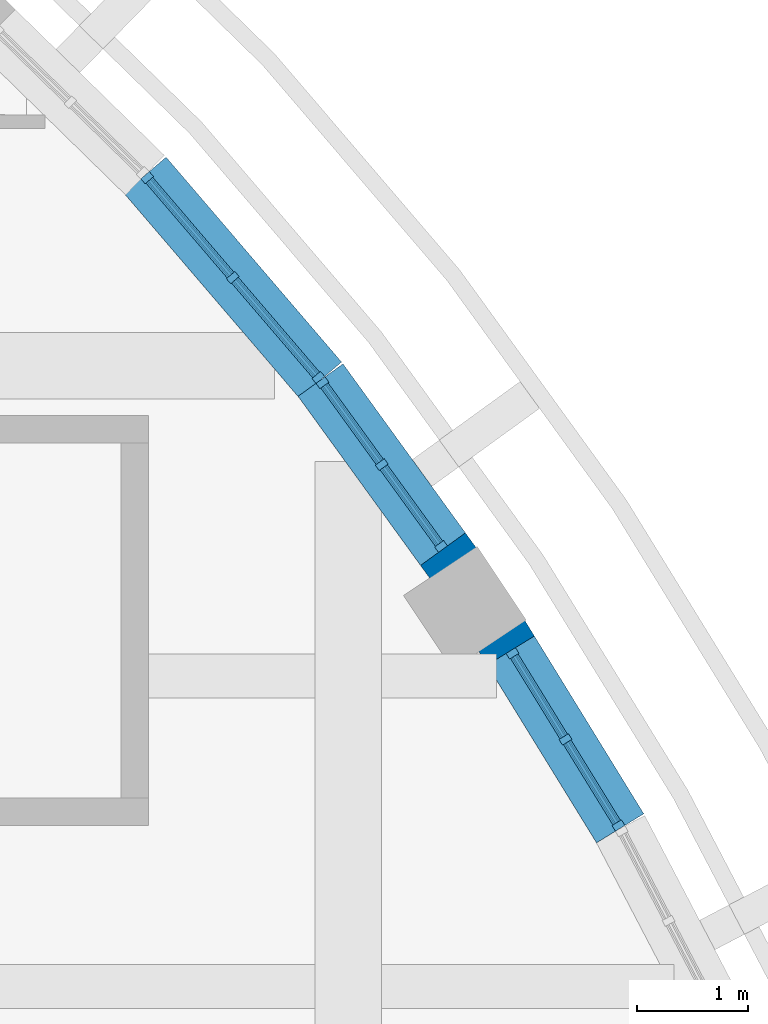
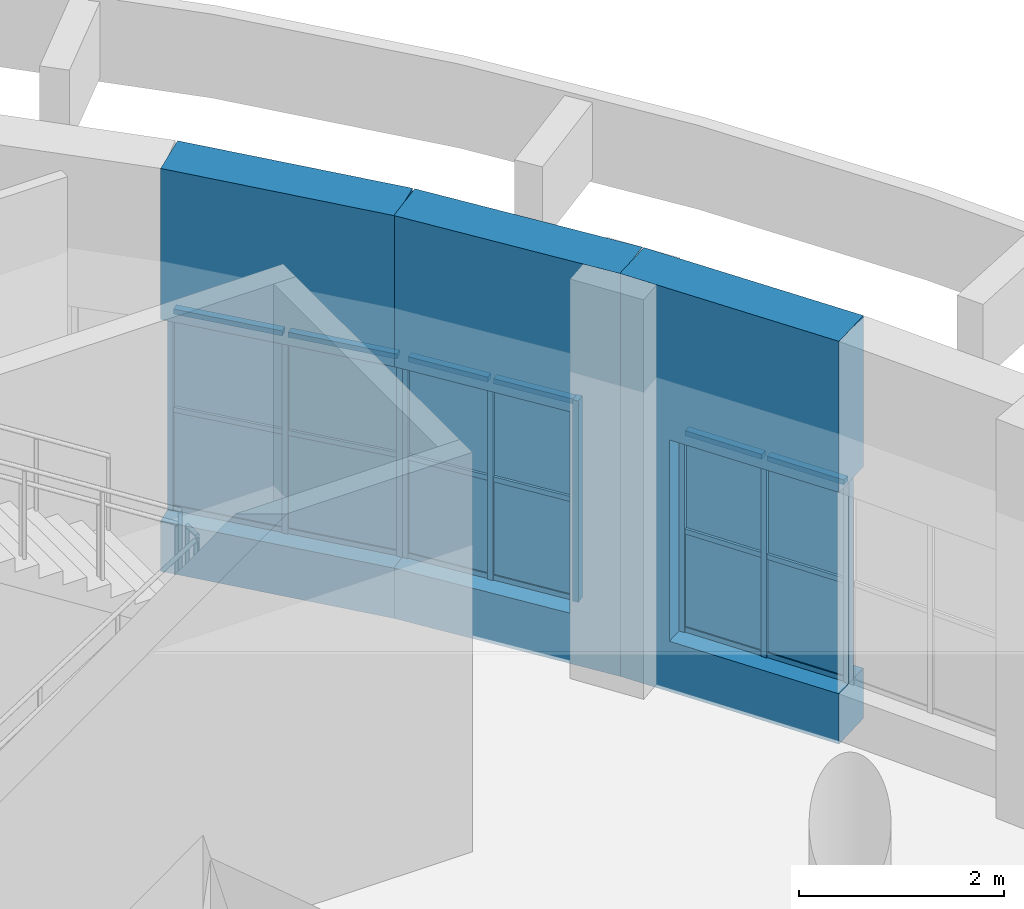
# One storey, part 34 of 79: 27 members, 12 plates, 3 walls, 3 openings, 3 elements without a shape of their own.
"""IFC4 building model written with IfcOpenShell, lengths in metres."""

from ifc_helpers import new_model, si_unit, direction, frame, frame_2d, origin, origin_2d, place, context, subcontext, project, spatial, rectangle, extrude, material, layer, layer_set, material_profile, profile_set, type_object, element, fill, aggregate, save


model = new_model("IFC4")

# Units and contexts
model_context = context("Model", 3, precision=1e-05, world=origin(), true_north=direction((0.0, 1.0)))
body_context = subcontext(model_context, "Body", "Model", "MODEL_VIEW")
ifc_project = project(units=[si_unit("LENGTHUNIT", "METRE"), si_unit("AREAUNIT", "SQUARE_METRE"), si_unit("VOLUMEUNIT", "CUBIC_METRE"), si_unit("PLANEANGLEUNIT", "RADIAN"), si_unit("MASSUNIT", "GRAM", prefix="KILO")], contexts=[model_context])

# Site, building, storey
site_placement = place(None, origin())
site = spatial("IfcSite", under=ifc_project, at=site_placement, CompositionType="ELEMENT")
building_placement = place(site_placement, origin())
building = spatial("IfcBuilding", under=site, at=building_placement, Name="Larchfold Concert Hall", CompositionType="ELEMENT")
storey_placement = place(building_placement, frame((0.0, 0.0, 14.39990234375)))
storey = spatial("IfcBuildingStorey", under=building, at=storey_placement, Name="L03", CompositionType="ELEMENT", Elevation=14.39990234375)

# Curtain wall, members
ifc_material_1 = material(Name="Anodised graphite aluminium curtain wall", Category="aluminium")
ifc_layer_1 = layer(ifc_material_1, 0.10009765625)
ifc_layer_set_1 = layer_set([ifc_layer_1], Name="Anodised graphite aluminium curtain wall")
curtain_wall_type = type_object("IfcCurtainWallType", Name="Curtain wall GB", PredefinedType="NOTDEFINED", material=ifc_layer_set_1)
curtain_wall_1_placement = place(storey_placement, origin())
curtain_wall_1 = element("IfcCurtainWall", 1, at=curtain_wall_1_placement, inside=storey, type_object=curtain_wall_type, Name="Curtain wall CW0010", PredefinedType="NOTDEFINED")
ifc_material_2 = material(Name="Anodised graphite aluminium mullion", Category="aluminium")
ifc_material_profile_1 = material_profile(ifc_material_2, rectangle(XDim=0.10009765625, YDim=0.06005859375, at=origin_2d()))
ifc_profile_set_1 = profile_set([ifc_material_profile_1], Name="Anodised graphite aluminium mullion")
member_type_1 = type_object("IfcMemberType", Name="Aluminium mullion 60x100", PredefinedType="MULLION", material=ifc_profile_set_1)
member_1_placement = place(storey_placement, frame((61.837890625, 105.65185546875, 0.60009765625), z_axis=(0.0, 0.0, 1.0), x_axis=(-0.851685025171, -0.524054021929, 0.0)))
member_1 = element("IfcMember", 2, at=member_1_placement, type_object=member_type_1, Name="CW0010 mullion 1", PredefinedType="MULLION", context=body_context, shape_type="SweptSolid", body=[
    extrude(rectangle(XDim=0.10009765625, YDim=0.06005859375, at=origin_2d()), origin(), (0.0, 0.0, 1.0), 2.39990234375),
])
member_2_placement = place(storey_placement, frame((61.360107421875, 106.42822265625, 0.60009765625), z_axis=(0.0, 0.0, 1.0), x_axis=(-0.851685025171, -0.524054021929, 0.0)))
member_2 = element("IfcMember", 3, at=member_2_placement, type_object=member_type_1, Name="CW0010 mullion 2", PredefinedType="MULLION", context=body_context, shape_type="SweptSolid", body=[
    extrude(rectangle(XDim=0.10009765625, YDim=0.06005859375, at=origin_2d()), origin(), (0.0, 0.0, 1.0), 2.39990234375),
])
member_3_placement = place(storey_placement, frame((60.88232421875, 107.204345703125, 0.60009765625), z_axis=(0.0, 0.0, 1.0), x_axis=(-0.851685025171, -0.524054021929, 0.0)))
member_3 = element("IfcMember", 4, at=member_3_placement, type_object=member_type_1, Name="CW0010 mullion 3", PredefinedType="MULLION", context=body_context, shape_type="SweptSolid", body=[
    extrude(rectangle(XDim=0.10009765625, YDim=0.06005859375, at=origin_2d()), origin(), (0.0, 0.0, 1.0), 2.39990234375),
])

curtain_wall_2_placement = place(storey_placement, origin())
curtain_wall_2 = element("IfcCurtainWall", 5, at=curtain_wall_2_placement, inside=storey, type_object=curtain_wall_type, Name="Curtain wall CW0011", PredefinedType="NOTDEFINED")
member_4_placement = place(storey_placement, frame((60.237548828125, 108.1689453125, 0.60009765625), z_axis=(0.0, 0.0, 1.0), x_axis=(-0.809861417461, -0.586621244508, 0.0)))
member_4 = element("IfcMember", 6, at=member_4_placement, type_object=member_type_1, Name="CW0011 mullion 1", PredefinedType="MULLION", context=body_context, shape_type="SweptSolid", body=[
    extrude(rectangle(XDim=0.10009765625, YDim=0.06005859375, at=origin_2d()), origin(), (0.0, 0.0, 1.0), 2.39990234375),
])
member_5_placement = place(storey_placement, frame((59.70263671875, 108.906982421875, 0.60009765625), z_axis=(0.0, 0.0, 1.0), x_axis=(-0.809861417461, -0.586621244508, 0.0)))
member_5 = element("IfcMember", 7, at=member_5_placement, type_object=member_type_1, Name="CW0011 mullion 2", PredefinedType="MULLION", context=body_context, shape_type="SweptSolid", body=[
    extrude(rectangle(XDim=0.10009765625, YDim=0.06005859375, at=origin_2d()), origin(), (0.0, 0.0, 1.0), 2.39990234375),
])
member_6_placement = place(storey_placement, frame((59.16796875, 109.645263671875, 0.60009765625), z_axis=(0.0, 0.0, 1.0), x_axis=(-0.809861417461, -0.586621244508, 0.0)))
member_6 = element("IfcMember", 8, at=member_6_placement, type_object=member_type_1, Name="CW0011 mullion 3", PredefinedType="MULLION", context=body_context, shape_type="SweptSolid", body=[
    extrude(rectangle(XDim=0.10009765625, YDim=0.06005859375, at=origin_2d()), origin(), (0.0, 0.0, 1.0), 2.39990234375),
])

curtain_wall_3_placement = place(storey_placement, origin())
curtain_wall_3 = element("IfcCurtainWall", 9, at=curtain_wall_3_placement, inside=storey, type_object=curtain_wall_type, Name="Curtain wall CW0012", PredefinedType="NOTDEFINED")
member_7_placement = place(storey_placement, frame((59.130859375, 109.6923828125, 0.60009765625), z_axis=(0.0, 0.0, 1.0), x_axis=(-0.759483179676, -0.650526940095, 0.0)))
member_7 = element("IfcMember", 10, at=member_7_placement, type_object=member_type_1, Name="CW0012 mullion 1", PredefinedType="MULLION", context=body_context, shape_type="SweptSolid", body=[
    extrude(rectangle(XDim=0.10009765625, YDim=0.06005859375, at=origin_2d()), origin(), (0.0, 0.0, 1.0), 2.39990234375),
])
member_8_placement = place(storey_placement, frame((58.35888671875, 110.59375, 0.60009765625), z_axis=(0.0, 0.0, 1.0), x_axis=(-0.759483179676, -0.650526940095, 0.0)))
member_8 = element("IfcMember", 11, at=member_8_placement, type_object=member_type_1, Name="CW0012 mullion 2", PredefinedType="MULLION", context=body_context, shape_type="SweptSolid", body=[
    extrude(rectangle(XDim=0.10009765625, YDim=0.06005859375, at=origin_2d()), origin(), (0.0, 0.0, 1.0), 2.39990234375),
])
member_9_placement = place(storey_placement, frame((57.5869140625, 111.4951171875, 0.60009765625), z_axis=(0.0, 0.0, 1.0), x_axis=(-0.759483179676, -0.650526940095, 0.0)))
member_9 = element("IfcMember", 12, at=member_9_placement, type_object=member_type_1, Name="CW0012 mullion 3", PredefinedType="MULLION", context=body_context, shape_type="SweptSolid", body=[
    extrude(rectangle(XDim=0.10009765625, YDim=0.06005859375, at=origin_2d()), origin(), (0.0, 0.0, 1.0), 2.39990234375),
])

# Member
ifc_material_3 = material(Name="Anodised graphite aluminium transom", Category="aluminium")
ifc_material_profile_2 = material_profile(ifc_material_3, rectangle(XDim=0.080078125, YDim=0.06005859375, at=origin_2d()))
ifc_profile_set_2 = profile_set([ifc_material_profile_2], Name="Anodised graphite aluminium transom")
member_type_2 = type_object("IfcMemberType", Name="Aluminium transom 60x80", PredefinedType="USERDEFINED", material=ifc_profile_set_2)
member_10_placement = place(storey_placement, frame((61.822021484375, 105.67724609375, 0.630126953125), z_axis=(-0.524033446248, 0.85169768534, 0.0), x_axis=(-0.85169768534, -0.524033446248, 0.0)))
member_10 = element("IfcMember", 13, at=member_10_placement, type_object=member_type_2, Name="CW0010 transom 1.1", ObjectType="TRANSOM", PredefinedType="USERDEFINED", context=body_context, shape_type="SweptSolid", body=[
    extrude(rectangle(XDim=0.080078125, YDim=0.06005859375, at=origin_2d()), origin(), (0.0, 0.0, 1.0), 0.8515625),
])

member_11_placement = place(storey_placement, frame((61.822021484375, 105.67724609375, 1.800048828125), z_axis=(-0.524033446248, 0.85169768534, 0.0), x_axis=(-0.85169768534, -0.524033446248, 0.0)))
member_11 = element("IfcMember", 14, at=member_11_placement, type_object=member_type_2, Name="CW0010 transom 1.2", ObjectType="TRANSOM", PredefinedType="USERDEFINED", context=body_context, shape_type="SweptSolid", body=[
    extrude(rectangle(XDim=0.080078125, YDim=0.06005859375, at=origin_2d()), origin(), (0.0, 0.0, 1.0), 0.8515625),
])

member_12_placement = place(storey_placement, frame((61.822021484375, 105.67724609375, 2.969970703125), z_axis=(-0.524033446248, 0.85169768534, 0.0), x_axis=(-0.85169768534, -0.524033446248, 0.0)))
member_12 = element("IfcMember", 15, at=member_12_placement, type_object=member_type_2, Name="CW0010 transom 1.3", ObjectType="TRANSOM", PredefinedType="USERDEFINED", context=body_context, shape_type="SweptSolid", body=[
    extrude(rectangle(XDim=0.080078125, YDim=0.06005859375, at=origin_2d()), origin(), (0.0, 0.0, 1.0), 0.8515625),
])

member_13_placement = place(storey_placement, frame((61.344482421875, 106.45361328125, 0.630126953125), z_axis=(-0.524033446248, 0.85169768534, 0.0), x_axis=(-0.85169768534, -0.524033446248, 0.0)))
member_13 = element("IfcMember", 16, at=member_13_placement, type_object=member_type_2, Name="CW0010 transom 2.1", ObjectType="TRANSOM", PredefinedType="USERDEFINED", context=body_context, shape_type="SweptSolid", body=[
    extrude(rectangle(XDim=0.080078125, YDim=0.06005859375, at=origin_2d()), origin(), (0.0, 0.0, 1.0), 0.8515625),
])

member_14_placement = place(storey_placement, frame((61.344482421875, 106.45361328125, 1.800048828125), z_axis=(-0.524033446248, 0.85169768534, 0.0), x_axis=(-0.85169768534, -0.524033446248, 0.0)))
member_14 = element("IfcMember", 17, at=member_14_placement, type_object=member_type_2, Name="CW0010 transom 2.2", ObjectType="TRANSOM", PredefinedType="USERDEFINED", context=body_context, shape_type="SweptSolid", body=[
    extrude(rectangle(XDim=0.080078125, YDim=0.06005859375, at=origin_2d()), origin(), (0.0, 0.0, 1.0), 0.8515625),
])

member_15_placement = place(storey_placement, frame((61.344482421875, 106.45361328125, 2.969970703125), z_axis=(-0.524033446248, 0.85169768534, 0.0), x_axis=(-0.85169768534, -0.524033446248, 0.0)))
member_15 = element("IfcMember", 18, at=member_15_placement, type_object=member_type_2, Name="CW0010 transom 2.3", ObjectType="TRANSOM", PredefinedType="USERDEFINED", context=body_context, shape_type="SweptSolid", body=[
    extrude(rectangle(XDim=0.080078125, YDim=0.06005859375, at=origin_2d()), origin(), (0.0, 0.0, 1.0), 0.8515625),
])

member_16_placement = place(storey_placement, frame((60.219970703125, 108.193115234375, 0.630126953125), z_axis=(-0.586568177357, 0.809899853878, 0.0), x_axis=(-0.809899853878, -0.586568177357, 0.0)))
member_16 = element("IfcMember", 19, at=member_16_placement, type_object=member_type_2, Name="CW0011 transom 1.1", ObjectType="TRANSOM", PredefinedType="USERDEFINED", context=body_context, shape_type="SweptSolid", body=[
    extrude(rectangle(XDim=0.080078125, YDim=0.06005859375, at=origin_2d()), origin(), (0.0, 0.0, 1.0), 0.8515625),
])

member_17_placement = place(storey_placement, frame((60.219970703125, 108.193115234375, 1.800048828125), z_axis=(-0.586568177357, 0.809899853878, 0.0), x_axis=(-0.809899853878, -0.586568177357, 0.0)))
member_17 = element("IfcMember", 20, at=member_17_placement, type_object=member_type_2, Name="CW0011 transom 1.2", ObjectType="TRANSOM", PredefinedType="USERDEFINED", context=body_context, shape_type="SweptSolid", body=[
    extrude(rectangle(XDim=0.080078125, YDim=0.06005859375, at=origin_2d()), origin(), (0.0, 0.0, 1.0), 0.8515625),
])

member_18_placement = place(storey_placement, frame((60.219970703125, 108.193115234375, 2.969970703125), z_axis=(-0.586568177357, 0.809899853878, 0.0), x_axis=(-0.809899853878, -0.586568177357, 0.0)))
member_18 = element("IfcMember", 21, at=member_18_placement, type_object=member_type_2, Name="CW0011 transom 1.3", ObjectType="TRANSOM", PredefinedType="USERDEFINED", context=body_context, shape_type="SweptSolid", body=[
    extrude(rectangle(XDim=0.080078125, YDim=0.06005859375, at=origin_2d()), origin(), (0.0, 0.0, 1.0), 0.8515625),
])

member_19_placement = place(storey_placement, frame((59.68505859375, 108.931396484375, 0.630126953125), z_axis=(-0.586568177357, 0.809899853878, 0.0), x_axis=(-0.809899853878, -0.586568177357, 0.0)))
member_19 = element("IfcMember", 22, at=member_19_placement, type_object=member_type_2, Name="CW0011 transom 2.1", ObjectType="TRANSOM", PredefinedType="USERDEFINED", context=body_context, shape_type="SweptSolid", body=[
    extrude(rectangle(XDim=0.080078125, YDim=0.06005859375, at=origin_2d()), origin(), (0.0, 0.0, 1.0), 0.8515625),
])

member_20_placement = place(storey_placement, frame((59.68505859375, 108.931396484375, 1.800048828125), z_axis=(-0.586568177357, 0.809899853878, 0.0), x_axis=(-0.809899853878, -0.586568177357, 0.0)))
member_20 = element("IfcMember", 23, at=member_20_placement, type_object=member_type_2, Name="CW0011 transom 2.2", ObjectType="TRANSOM", PredefinedType="USERDEFINED", context=body_context, shape_type="SweptSolid", body=[
    extrude(rectangle(XDim=0.080078125, YDim=0.06005859375, at=origin_2d()), origin(), (0.0, 0.0, 1.0), 0.8515625),
])

member_21_placement = place(storey_placement, frame((59.68505859375, 108.931396484375, 2.969970703125), z_axis=(-0.586568177357, 0.809899853878, 0.0), x_axis=(-0.809899853878, -0.586568177357, 0.0)))
member_21 = element("IfcMember", 24, at=member_21_placement, type_object=member_type_2, Name="CW0011 transom 2.3", ObjectType="TRANSOM", PredefinedType="USERDEFINED", context=body_context, shape_type="SweptSolid", body=[
    extrude(rectangle(XDim=0.080078125, YDim=0.06005859375, at=origin_2d()), origin(), (0.0, 0.0, 1.0), 0.8515625),
])

member_22_placement = place(storey_placement, frame((59.111328125, 109.71533203125, 0.630126953125), z_axis=(-0.650505805434, 0.759501281827, 0.0), x_axis=(-0.759501281827, -0.650505805434, 0.0)))
member_22 = element("IfcMember", 25, at=member_22_placement, type_object=member_type_2, Name="CW0012 transom 1.1", ObjectType="TRANSOM", PredefinedType="USERDEFINED", context=body_context, shape_type="SweptSolid", body=[
    extrude(rectangle(XDim=0.080078125, YDim=0.06005859375, at=origin_2d()), origin(), (0.0, 0.0, 1.0), 1.126708984375),
])

member_23_placement = place(storey_placement, frame((59.111328125, 109.71533203125, 1.800048828125), z_axis=(-0.650505805434, 0.759501281827, 0.0), x_axis=(-0.759501281827, -0.650505805434, 0.0)))
member_23 = element("IfcMember", 26, at=member_23_placement, type_object=member_type_2, Name="CW0012 transom 1.2", ObjectType="TRANSOM", PredefinedType="USERDEFINED", context=body_context, shape_type="SweptSolid", body=[
    extrude(rectangle(XDim=0.080078125, YDim=0.06005859375, at=origin_2d()), origin(), (0.0, 0.0, 1.0), 1.126708984375),
])

member_24_placement = place(storey_placement, frame((59.111328125, 109.71533203125, 2.969970703125), z_axis=(-0.650505805434, 0.759501281827, 0.0), x_axis=(-0.759501281827, -0.650505805434, 0.0)))
member_24 = element("IfcMember", 27, at=member_24_placement, type_object=member_type_2, Name="CW0012 transom 1.3", ObjectType="TRANSOM", PredefinedType="USERDEFINED", context=body_context, shape_type="SweptSolid", body=[
    extrude(rectangle(XDim=0.080078125, YDim=0.06005859375, at=origin_2d()), origin(), (0.0, 0.0, 1.0), 1.126708984375),
])

member_25_placement = place(storey_placement, frame((58.33935546875, 110.616455078125, 0.630126953125), z_axis=(-0.650505805434, 0.759501281827, 0.0), x_axis=(-0.759501281827, -0.650505805434, 0.0)))
member_25 = element("IfcMember", 28, at=member_25_placement, type_object=member_type_2, Name="CW0012 transom 2.1", ObjectType="TRANSOM", PredefinedType="USERDEFINED", context=body_context, shape_type="SweptSolid", body=[
    extrude(rectangle(XDim=0.080078125, YDim=0.06005859375, at=origin_2d()), origin(), (0.0, 0.0, 1.0), 1.126708984375),
])

member_26_placement = place(storey_placement, frame((58.33935546875, 110.616455078125, 1.800048828125), z_axis=(-0.650505805434, 0.759501281827, 0.0), x_axis=(-0.759501281827, -0.650505805434, 0.0)))
member_26 = element("IfcMember", 29, at=member_26_placement, type_object=member_type_2, Name="CW0012 transom 2.2", ObjectType="TRANSOM", PredefinedType="USERDEFINED", context=body_context, shape_type="SweptSolid", body=[
    extrude(rectangle(XDim=0.080078125, YDim=0.06005859375, at=origin_2d()), origin(), (0.0, 0.0, 1.0), 1.126708984375),
])

member_27_placement = place(storey_placement, frame((58.33935546875, 110.616455078125, 2.969970703125), z_axis=(-0.650505805434, 0.759501281827, 0.0), x_axis=(-0.759501281827, -0.650505805434, 0.0)))
member_27 = element("IfcMember", 30, at=member_27_placement, type_object=member_type_2, Name="CW0012 transom 2.3", ObjectType="TRANSOM", PredefinedType="USERDEFINED", context=body_context, shape_type="SweptSolid", body=[
    extrude(rectangle(XDim=0.080078125, YDim=0.06005859375, at=origin_2d()), origin(), (0.0, 0.0, 1.0), 1.126708984375),
])

# Plate
ifc_material_4 = material(Name="Insulated glazing unit, glass", Category="glass")
ifc_layer_2 = layer(ifc_material_4, 0.02392578125)
ifc_layer_set_2 = layer_set([ifc_layer_2], Name="Insulated glazing unit, glass")
plate_type_1 = type_object("IfcPlateType", Name="Glass panel 24", PredefinedType="CURTAIN_PANEL", material=ifc_layer_set_2)
plate_1_placement = place(storey_placement, frame((61.598876953125, 106.0400390625, 1.830078125), z_axis=(0.0, 0.0, 1.0), x_axis=(-0.524054021929, 0.851685025171, 0.0)))
plate_1 = element("IfcPlate", 31, at=plate_1_placement, type_object=plate_type_1, Name="CW0010 panel 1.2", PredefinedType="CURTAIN_PANEL", context=body_context, shape_type="SweptSolid", body=[
    extrude(rectangle(XDim=0.8515625, YDim=0.02392578125, at=origin_2d()), origin(), (0.0, 0.0, 1.0), 1.10986328125),
])

plate_2_placement = place(storey_placement, frame((61.121337890625, 106.816162109375, 1.830078125), z_axis=(0.0, 0.0, 1.0), x_axis=(-0.524054021929, 0.851685025171, 0.0)))
plate_2 = element("IfcPlate", 32, at=plate_2_placement, type_object=plate_type_1, Name="CW0010 panel 2.2", PredefinedType="CURTAIN_PANEL", context=body_context, shape_type="SweptSolid", body=[
    extrude(rectangle(XDim=0.8515625, YDim=0.02392578125, at=origin_2d()), origin(), (0.0, 0.0, 1.0), 1.10986328125),
])

plate_3_placement = place(storey_placement, frame((59.97021484375, 108.5380859375, 1.830078125), z_axis=(0.0, 0.0, 1.0), x_axis=(-0.586621244508, 0.809861417461, 0.0)))
plate_3 = element("IfcPlate", 33, at=plate_3_placement, type_object=plate_type_1, Name="CW0011 panel 1.2", PredefinedType="CURTAIN_PANEL", context=body_context, shape_type="SweptSolid", body=[
    extrude(rectangle(XDim=0.8515625, YDim=0.02392578125, at=origin_2d()), origin(), (0.0, 0.0, 1.0), 1.10986328125),
])

plate_4_placement = place(storey_placement, frame((59.435302734375, 109.276123046875, 1.830078125), z_axis=(0.0, 0.0, 1.0), x_axis=(-0.586621244508, 0.809861417461, 0.0)))
plate_4 = element("IfcPlate", 34, at=plate_4_placement, type_object=plate_type_1, Name="CW0011 panel 2.2", PredefinedType="CURTAIN_PANEL", context=body_context, shape_type="SweptSolid", body=[
    extrude(rectangle(XDim=0.8515625, YDim=0.02392578125, at=origin_2d()), origin(), (0.0, 0.0, 1.0), 1.10986328125),
])

plate_5_placement = place(storey_placement, frame((58.744873046875, 110.14306640625, 1.830078125), z_axis=(0.0, 0.0, 1.0), x_axis=(-0.650526940095, 0.759483179676, 0.0)))
plate_5 = element("IfcPlate", 35, at=plate_5_placement, type_object=plate_type_1, Name="CW0012 panel 1.2", PredefinedType="CURTAIN_PANEL", context=body_context, shape_type="SweptSolid", body=[
    extrude(rectangle(XDim=1.126708984375, YDim=0.02392578125, at=origin_2d()), origin(), (0.0, 0.0, 1.0), 1.10986328125),
])

plate_6_placement = place(storey_placement, frame((57.972900390625, 111.04443359375, 1.830078125), z_axis=(0.0, 0.0, 1.0), x_axis=(-0.650526940095, 0.759483179676, 0.0)))
plate_6 = element("IfcPlate", 36, at=plate_6_placement, type_object=plate_type_1, Name="CW0012 panel 2.2", PredefinedType="CURTAIN_PANEL", context=body_context, shape_type="SweptSolid", body=[
    extrude(rectangle(XDim=1.126708984375, YDim=0.02392578125, at=origin_2d()), origin(), (0.0, 0.0, 1.0), 1.10986328125),
])

ifc_material_5 = material(Name="White insulated panel")
ifc_layer_3 = layer(ifc_material_5, 0.050048828125)
ifc_layer_set_3 = layer_set([ifc_layer_3], Name="White insulated panel")
plate_type_2 = type_object("IfcPlateType", Name="Insulated spandrel panel 50", PredefinedType="CURTAIN_PANEL", material=ifc_layer_set_3)
plate_7_placement = place(storey_placement, frame((61.598876953125, 106.0400390625, 0.66015625), z_axis=(0.0, 0.0, 1.0), x_axis=(-0.524054021929, 0.851685025171, 0.0)))
plate_7 = element("IfcPlate", 37, at=plate_7_placement, type_object=plate_type_2, Name="CW0010 panel 1.1", PredefinedType="CURTAIN_PANEL", context=body_context, shape_type="SweptSolid", body=[
    extrude(rectangle(XDim=0.8515625, YDim=0.050048828125, at=origin_2d()), origin(), (0.0, 0.0, 1.0), 1.10986328125),
])

plate_8_placement = place(storey_placement, frame((61.121337890625, 106.816162109375, 0.66015625), z_axis=(0.0, 0.0, 1.0), x_axis=(-0.524054021929, 0.851685025171, 0.0)))
plate_8 = element("IfcPlate", 38, at=plate_8_placement, type_object=plate_type_2, Name="CW0010 panel 2.1", PredefinedType="CURTAIN_PANEL", context=body_context, shape_type="SweptSolid", body=[
    extrude(rectangle(XDim=0.8515625, YDim=0.050048828125, at=origin_2d()), origin(), (0.0, 0.0, 1.0), 1.10986328125),
])

aggregate(curtain_wall_1, [member_1, member_2, member_3, member_10, member_11, member_12, plate_7, plate_1, member_13, member_14, member_15, plate_8, plate_2])

plate_9_placement = place(storey_placement, frame((59.97021484375, 108.5380859375, 0.66015625), z_axis=(0.0, 0.0, 1.0), x_axis=(-0.586621244508, 0.809861417461, 0.0)))
plate_9 = element("IfcPlate", 39, at=plate_9_placement, type_object=plate_type_2, Name="CW0011 panel 1.1", PredefinedType="CURTAIN_PANEL", context=body_context, shape_type="SweptSolid", body=[
    extrude(rectangle(XDim=0.8515625, YDim=0.050048828125, at=origin_2d()), origin(), (0.0, 0.0, 1.0), 1.10986328125),
])

plate_10_placement = place(storey_placement, frame((59.435302734375, 109.276123046875, 0.66015625), z_axis=(0.0, 0.0, 1.0), x_axis=(-0.586621244508, 0.809861417461, 0.0)))
plate_10 = element("IfcPlate", 40, at=plate_10_placement, type_object=plate_type_2, Name="CW0011 panel 2.1", PredefinedType="CURTAIN_PANEL", context=body_context, shape_type="SweptSolid", body=[
    extrude(rectangle(XDim=0.8515625, YDim=0.050048828125, at=origin_2d()), origin(), (0.0, 0.0, 1.0), 1.10986328125),
])

aggregate(curtain_wall_2, [member_4, member_5, member_6, member_16, member_17, member_18, plate_9, plate_3, member_19, member_20, member_21, plate_10, plate_4])

plate_11_placement = place(storey_placement, frame((58.744873046875, 110.14306640625, 0.66015625), z_axis=(0.0, 0.0, 1.0), x_axis=(-0.650526940095, 0.759483179676, 0.0)))
plate_11 = element("IfcPlate", 41, at=plate_11_placement, type_object=plate_type_2, Name="CW0012 panel 1.1", PredefinedType="CURTAIN_PANEL", context=body_context, shape_type="SweptSolid", body=[
    extrude(rectangle(XDim=1.126708984375, YDim=0.050048828125, at=origin_2d()), origin(), (0.0, 0.0, 1.0), 1.10986328125),
])

plate_12_placement = place(storey_placement, frame((57.972900390625, 111.04443359375, 0.66015625), z_axis=(0.0, 0.0, 1.0), x_axis=(-0.650526940095, 0.759483179676, 0.0)))
plate_12 = element("IfcPlate", 42, at=plate_12_placement, type_object=plate_type_2, Name="CW0012 panel 2.1", PredefinedType="CURTAIN_PANEL", context=body_context, shape_type="SweptSolid", body=[
    extrude(rectangle(XDim=1.126708984375, YDim=0.050048828125, at=origin_2d()), origin(), (0.0, 0.0, 1.0), 1.10986328125),
])

aggregate(curtain_wall_3, [member_7, member_8, member_9, member_22, member_23, member_24, plate_11, plate_5, member_25, member_26, member_27, plate_12, plate_6])

# Wall, opening
ifc_material_6 = material(Name="Concrete C30/37", Category="concrete")
ifc_layer_4 = layer(ifc_material_6, 0.5)
ifc_layer_set_4 = layer_set([ifc_layer_4], Name="Concrete C30/37")
wall_type = type_object("IfcWallType", Name="Wall RC 500 drum facade", PredefinedType="SOLIDWALL", material=ifc_layer_set_4)
wall_1_placement = place(storey_placement, frame((61.853515625, 105.626220703125, 0.0), z_axis=(0.0, 0.0, 1.0), x_axis=(-0.524097425664, 0.851658316705, 0.0)))
wall_1 = element("IfcWall", 43, at=wall_1_placement, inside=storey, type_object=wall_type, Name="Wall DW010", PredefinedType="SOLIDWALL", context=body_context, shape_type="SweptSolid", body=[
    extrude(rectangle(XDim=2.43359375, YDim=0.5, at=frame_2d((1.216796875, 0.0))), origin(), (0.0, 0.0, 1.0), 4.800048828125),
])
opening_1_placement = place(wall_1_placement, frame((0.0, 0.0, 0.60009765625)))
opening_1 = element("IfcOpeningElement", 44, at=opening_1_placement, cuts=wall_1, Name="Opening CW0010", PredefinedType="OPENING", context=body_context, shape_type="SweptSolid", body=[
    extrude(rectangle(XDim=1.883056640625, YDim=2.39990234375, at=frame_2d((0.94140625, 1.199951171875))), frame((0.0, 0.260009765625, 0.0), z_axis=(0.0, -1.0, 0.0), x_axis=(1.0, 0.0, 0.0)), (0.0, 0.0, 1.0), 0.52001953125),
])

fill(opening_1, curtain_wall_1)

wall_2_placement = place(storey_placement, frame((60.578125, 107.69873046875, 0.0), z_axis=(0.0, 0.0, 1.0), x_axis=(-0.586643688245, 0.809845159918, 0.0)))
wall_2 = element("IfcWall", 45, at=wall_2_placement, inside=storey, type_object=wall_type, Name="Wall DW011", PredefinedType="SOLIDWALL", context=body_context, shape_type="SweptSolid", body=[
    extrude(rectangle(XDim=2.433837890625, YDim=0.5, at=frame_2d((1.216796875, 0.0))), origin(), (0.0, 0.0, 1.0), 4.800048828125),
])
opening_2_placement = place(wall_2_placement, frame((0.550537109375, 0.0, 0.60009765625)))
opening_2 = element("IfcOpeningElement", 46, at=opening_2_placement, cuts=wall_2, Name="Opening CW0011", PredefinedType="OPENING", context=body_context, shape_type="SweptSolid", body=[
    extrude(rectangle(XDim=1.88330078125, YDim=2.39990234375, at=frame_2d((0.941650390625, 1.199951171875))), frame((0.0, 0.260009765625, 0.0), z_axis=(0.0, -1.0, 0.0), x_axis=(1.0, 0.0, 0.0)), (0.0, 0.0, 1.0), 0.52001953125),
])

fill(opening_2, curtain_wall_2)

wall_3_placement = place(storey_placement, frame((59.150390625, 109.669677734375, 0.0), z_axis=(0.0, 0.0, 1.0), x_axis=(-0.650526940133, 0.759483179643, 0.0)))
wall_3 = element("IfcWall", 47, at=wall_3_placement, inside=storey, type_object=wall_type, Name="Wall DW012", PredefinedType="SOLIDWALL", context=body_context, shape_type="SweptSolid", body=[
    extrude(rectangle(XDim=2.433349609375, YDim=0.5, at=frame_2d((1.216796875, 0.0))), origin(), (0.0, 0.0, 1.0), 4.800048828125),
])
opening_3_placement = place(wall_3_placement, frame((0.0, 0.0, 0.60009765625)))
opening_3 = element("IfcOpeningElement", 48, at=opening_3_placement, cuts=wall_3, Name="Opening CW0012", PredefinedType="OPENING", context=body_context, shape_type="SweptSolid", body=[
    extrude(rectangle(XDim=2.433349609375, YDim=2.39990234375, at=frame_2d((1.216796875, 1.199951171875))), frame((0.0, 0.260009765625, 0.0), z_axis=(0.0, -1.0, 0.0), x_axis=(1.0, 0.0, 0.0)), (0.0, 0.0, 1.0), 0.52001953125),
])

fill(opening_3, curtain_wall_3)

save(model, "model.ifc")
